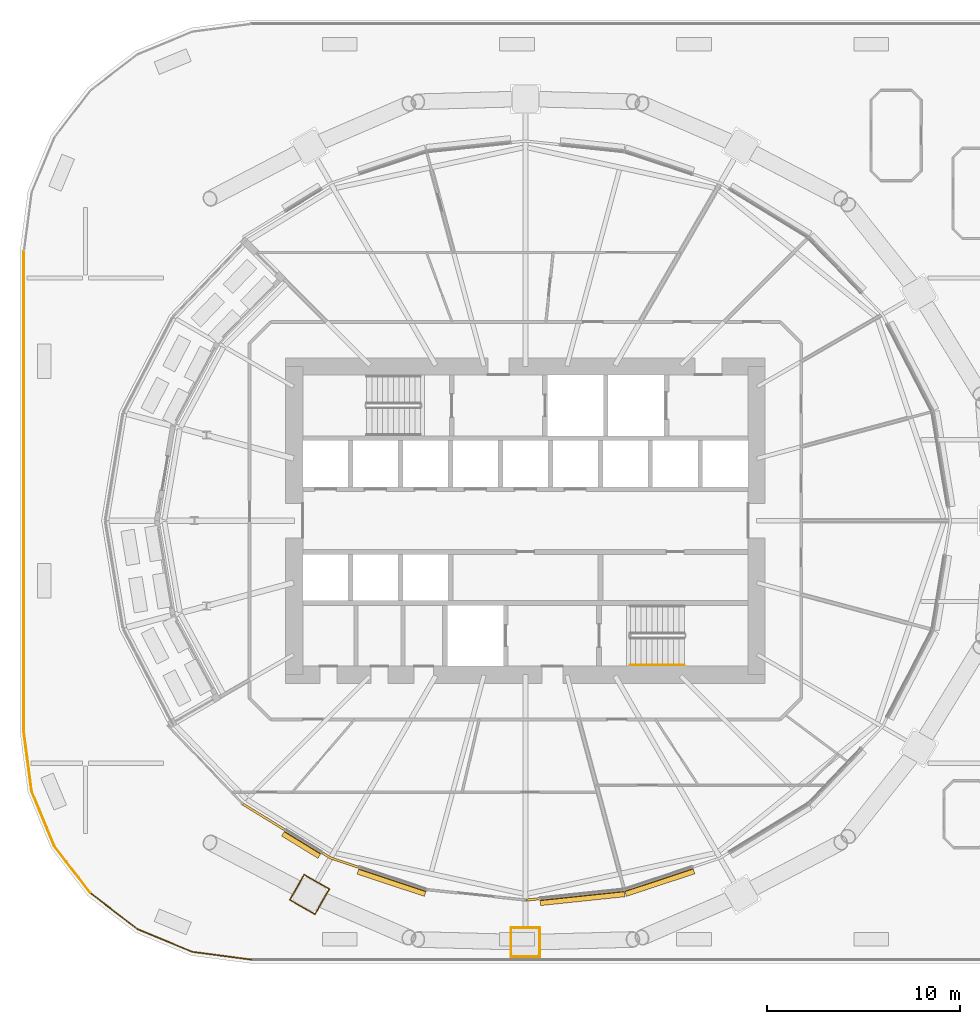
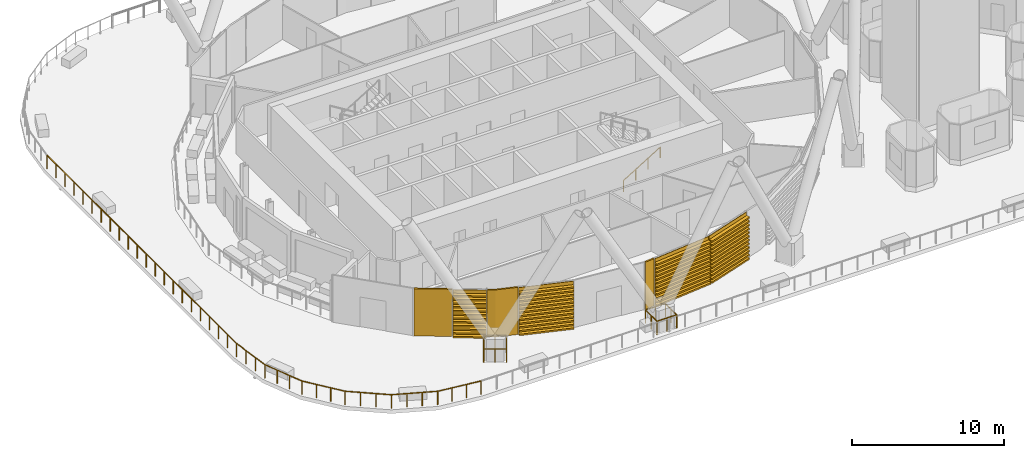
# One storey, part 35 of 47: 11 railings, 7 coverings.
"""IFC4 building model written with IfcOpenShell, lengths in metres."""

from ifc_helpers import new_model, si_unit, direction, frame, origin, origin_2d, place, context, subcontext, project, spatial, polyline, circle, outline, extrude, material, layer, layer_set, material_profile, profile_set, type_object, element, save


model = new_model("IFC4")

# Units and contexts
model_context = context("Model", 3, precision=1e-05, world=origin(), true_north=direction((0.0, 1.0)))
body_context = subcontext(model_context, "Body", "Model", "MODEL_VIEW")
ifc_project = project(units=[si_unit("LENGTHUNIT", "METRE"), si_unit("AREAUNIT", "SQUARE_METRE"), si_unit("VOLUMEUNIT", "CUBIC_METRE"), si_unit("PLANEANGLEUNIT", "RADIAN"), si_unit("MASSUNIT", "GRAM", prefix="KILO")], contexts=[model_context])

# Site, building, storey
site_placement = place(None, origin())
site = spatial("IfcSite", under=ifc_project, at=site_placement, CompositionType="ELEMENT")
building_placement = place(site_placement, origin())
building = spatial("IfcBuilding", under=site, at=building_placement, Name="Rimbun Link Towers", CompositionType="ELEMENT")
storey_placement = place(building_placement, frame((0.0, 0.0, 30.0)))
storey = spatial("IfcBuildingStorey", under=building, at=storey_placement, Name="L06", CompositionType="ELEMENT", Elevation=30.0)

# Railings
ifc_material_1 = material(Name="Toughened laminated glass, stainless steel grade 316 posts and cap rail", Category="steel")
railing_type_1 = type_object("IfcRailingType", Name="GUARD glass balustrade with stainless cap rail", PredefinedType="BALUSTRADE", material=ifc_material_1)
railing_1_placement = place(storey_placement, frame((-57.800048828125, 13.98681640625, 0.0)))
element("IfcRailing", 1, at=railing_1_placement, inside=storey, type_object=railing_type_1, Name="GUARD glass balustrade", PredefinedType="BALUSTRADE", context=body_context, shape_type="SweptSolid", body=[
    extrude(circle(Radius=0.02392578125, at=origin_2d()), frame((0.0, 0.0, 1.076171875), z_axis=(0.0, -1.0, 0.0), x_axis=(1.0, 0.0, 0.0)), (0.0, 0.0, 1.0), 24.9736328125),
    extrude(circle(Radius=0.02392578125, at=origin_2d()), frame((0.0, -24.9736328125, 1.076171875), z_axis=(0.130540259305, -0.991443009305, 0.0), x_axis=(0.991443009305, 0.130540259305, 0.0)), (0.0, 0.0, 1.0), 3.09326171875),
    extrude(circle(Radius=0.02392578125, at=origin_2d()), frame((0.40380859375, -28.04052734375, 1.076171875), z_axis=(0.382706499462, -0.92386997747, 0.0), x_axis=(0.92386997747, 0.382706499462, 0.0)), (0.0, 0.0, 1.0), 3.079833984375),
    extrude(circle(Radius=0.02392578125, at=origin_2d()), frame((1.58251953125, -30.885986328125, 1.076171875), z_axis=(0.608702762794, -0.793398353015, 0.0), x_axis=(0.793398353015, 0.608702762794, 0.0)), (0.0, 0.0, 1.0), 3.079833984375),
    extrude(circle(Radius=0.02099609375, at=origin_2d()), origin(), (0.0, 0.0, 1.0), 1.052001953125),
    extrude(circle(Radius=0.02099609375, at=origin_2d()), frame((0.0, -1.189208984375, 0.0)), (0.0, 0.0, 1.0), 1.052001953125),
    extrude(circle(Radius=0.02099609375, at=origin_2d()), frame((0.0, -2.37841796875, 0.0)), (0.0, 0.0, 1.0), 1.052001953125),
    extrude(circle(Radius=0.02099609375, at=origin_2d()), frame((0.0, -3.567626953125, 0.0)), (0.0, 0.0, 1.0), 1.052001953125),
    extrude(circle(Radius=0.02099609375, at=origin_2d()), frame((0.0, -4.7568359375, 0.0)), (0.0, 0.0, 1.0), 1.052001953125),
    extrude(circle(Radius=0.02099609375, at=origin_2d()), frame((0.0, -5.946044921875, 0.0)), (0.0, 0.0, 1.0), 1.052001953125),
    extrude(circle(Radius=0.02099609375, at=origin_2d()), frame((0.0, -7.13525390625, 0.0)), (0.0, 0.0, 1.0), 1.052001953125),
    extrude(circle(Radius=0.02099609375, at=origin_2d()), frame((0.0, -8.324462890625, 0.0)), (0.0, 0.0, 1.0), 1.052001953125),
    extrude(circle(Radius=0.02099609375, at=origin_2d()), frame((0.0, -9.513671875, 0.0)), (0.0, 0.0, 1.0), 1.052001953125),
    extrude(circle(Radius=0.02099609375, at=origin_2d()), frame((0.0, -10.702880859375, 0.0)), (0.0, 0.0, 1.0), 1.052001953125),
    extrude(circle(Radius=0.02099609375, at=origin_2d()), frame((0.0, -11.89208984375, 0.0)), (0.0, 0.0, 1.0), 1.052001953125),
    extrude(circle(Radius=0.02099609375, at=origin_2d()), frame((0.0, -13.08154296875, 0.0)), (0.0, 0.0, 1.0), 1.052001953125),
    extrude(circle(Radius=0.02099609375, at=origin_2d()), frame((0.0, -14.270751953125, 0.0)), (0.0, 0.0, 1.0), 1.052001953125),
    extrude(circle(Radius=0.02099609375, at=origin_2d()), frame((0.0, -15.4599609375, 0.0)), (0.0, 0.0, 1.0), 1.052001953125),
    extrude(circle(Radius=0.02099609375, at=origin_2d()), frame((0.0, -16.649169921875, 0.0)), (0.0, 0.0, 1.0), 1.052001953125),
    extrude(circle(Radius=0.02099609375, at=origin_2d()), frame((0.0, -17.83837890625, 0.0)), (0.0, 0.0, 1.0), 1.052001953125),
    extrude(circle(Radius=0.02099609375, at=origin_2d()), frame((0.0, -19.027587890625, 0.0)), (0.0, 0.0, 1.0), 1.052001953125),
    extrude(circle(Radius=0.02099609375, at=origin_2d()), frame((0.0, -20.216796875, 0.0)), (0.0, 0.0, 1.0), 1.052001953125),
    extrude(circle(Radius=0.02099609375, at=origin_2d()), frame((0.0, -21.406005859375, 0.0)), (0.0, 0.0, 1.0), 1.052001953125),
    extrude(circle(Radius=0.02099609375, at=origin_2d()), frame((0.0, -22.59521484375, 0.0)), (0.0, 0.0, 1.0), 1.052001953125),
    extrude(circle(Radius=0.02099609375, at=origin_2d()), frame((0.0, -23.784423828125, 0.0)), (0.0, 0.0, 1.0), 1.052001953125),
    extrude(circle(Radius=0.02099609375, at=origin_2d()), frame((0.0, -24.9736328125, 0.0)), (0.0, 0.0, 1.0), 1.052001953125),
    extrude(circle(Radius=0.02099609375, at=origin_2d()), frame((0.134521484375, -25.995849609375, 0.0)), (0.0, 0.0, 1.0), 1.052001953125),
    extrude(circle(Radius=0.02099609375, at=origin_2d()), frame((0.269287109375, -27.018310546875, 0.0)), (0.0, 0.0, 1.0), 1.052001953125),
    extrude(circle(Radius=0.02099609375, at=origin_2d()), frame((0.40380859375, -28.04052734375, 0.0)), (0.0, 0.0, 1.0), 1.052001953125),
    extrude(circle(Radius=0.02099609375, at=origin_2d()), frame((0.796630859375, -28.989013671875, 0.0)), (0.0, 0.0, 1.0), 1.052001953125),
    extrude(circle(Radius=0.02099609375, at=origin_2d()), frame((1.189697265625, -29.9375, 0.0)), (0.0, 0.0, 1.0), 1.052001953125),
    extrude(circle(Radius=0.02099609375, at=origin_2d()), frame((1.58251953125, -30.885986328125, 0.0)), (0.0, 0.0, 1.0), 1.052001953125),
    extrude(circle(Radius=0.02099609375, at=origin_2d()), frame((2.20751953125, -31.700439453125, 0.0)), (0.0, 0.0, 1.0), 1.052001953125),
    extrude(circle(Radius=0.02099609375, at=origin_2d()), frame((2.832275390625, -32.51513671875, 0.0)), (0.0, 0.0, 1.0), 1.052001953125),
    extrude(circle(Radius=0.02099609375, at=origin_2d()), frame((3.457275390625, -33.32958984375, 0.0)), (0.0, 0.0, 1.0), 1.052001953125),
])
railing_2_placement = place(storey_placement, frame((-54.3427734375, -19.3427734375, 0.0)))
element("IfcRailing", 2, at=railing_2_placement, inside=storey, type_object=railing_type_1, Name="GUARD glass balustrade", PredefinedType="BALUSTRADE", context=body_context, shape_type="SweptSolid", body=[
    extrude(circle(Radius=0.02392578125, at=origin_2d()), frame((0.0, 0.0, 1.076171875), z_axis=(0.793398353015, -0.608702762794, 0.0), x_axis=(0.608702762794, 0.793398353015, 0.0)), (0.0, 0.0, 1.0), 3.079833984375),
    extrude(circle(Radius=0.02392578125, at=origin_2d()), frame((2.443603515625, -1.874755859375, 1.076171875), z_axis=(0.92386997747, -0.382706499462, 0.0), x_axis=(0.382706499462, 0.92386997747, 0.0)), (0.0, 0.0, 1.0), 3.079833984375),
    extrude(circle(Radius=0.02392578125, at=origin_2d()), frame((5.2890625, -3.053466796875, 1.076171875), z_axis=(0.991443009305, -0.130540259305, 0.0), x_axis=(0.130540259305, 0.991443009305, 0.0)), (0.0, 0.0, 1.0), 3.09326171875),
    extrude(circle(Radius=0.02099609375, at=origin_2d()), origin(), (0.0, 0.0, 1.0), 1.052001953125),
    extrude(circle(Radius=0.02099609375, at=origin_2d()), frame((0.814453125, -0.625, 0.0)), (0.0, 0.0, 1.0), 1.052001953125),
    extrude(circle(Radius=0.02099609375, at=origin_2d()), frame((1.629150390625, -1.249755859375, 0.0)), (0.0, 0.0, 1.0), 1.052001953125),
    extrude(circle(Radius=0.02099609375, at=origin_2d()), frame((2.443603515625, -1.874755859375, 0.0)), (0.0, 0.0, 1.0), 1.052001953125),
    extrude(circle(Radius=0.02099609375, at=origin_2d()), frame((3.39208984375, -2.267578125, 0.0)), (0.0, 0.0, 1.0), 1.052001953125),
    extrude(circle(Radius=0.02099609375, at=origin_2d()), frame((4.340576171875, -2.66064453125, 0.0)), (0.0, 0.0, 1.0), 1.052001953125),
    extrude(circle(Radius=0.02099609375, at=origin_2d()), frame((5.2890625, -3.053466796875, 0.0)), (0.0, 0.0, 1.0), 1.052001953125),
    extrude(circle(Radius=0.02099609375, at=origin_2d()), frame((6.311279296875, -3.18798828125, 0.0)), (0.0, 0.0, 1.0), 1.052001953125),
    extrude(circle(Radius=0.02099609375, at=origin_2d()), frame((7.333740234375, -3.32275390625, 0.0)), (0.0, 0.0, 1.0), 1.052001953125),
    extrude(circle(Radius=0.02099609375, at=origin_2d()), frame((8.35595703125, -3.457275390625, 0.0)), (0.0, 0.0, 1.0), 1.052001953125),
])
ifc_material_2 = material(Name="Stainless steel grade 316", Category="steel")
railing_type_2 = type_object("IfcRailingType", Name="GUARD stainless rail and posts", PredefinedType="GUARDRAIL", material=ifc_material_2)
railing_3_placement = place(storey_placement, frame((-32.5, -22.654296875, 0.0)))
element("IfcRailing", 3, at=railing_3_placement, inside=storey, type_object=railing_type_2, Name="GUARD slab opening", PredefinedType="GUARDRAIL", context=body_context, shape_type="SweptSolid", body=[
    extrude(circle(Radius=0.02392578125, at=origin_2d()), frame((0.0, 0.0, 1.076171875), z_axis=(1.0, 0.0, 0.0), x_axis=(0.0, 1.0, 0.0)), (0.0, 0.0, 1.0), 1.5),
    extrude(circle(Radius=0.02099609375, at=origin_2d()), origin(), (0.0, 0.0, 1.0), 1.052001953125),
    extrude(circle(Radius=0.02099609375, at=origin_2d()), frame((0.75, 0.0, 0.0)), (0.0, 0.0, 1.0), 1.052001953125),
    extrude(circle(Radius=0.02099609375, at=origin_2d()), frame((1.5, 0.0, 0.0)), (0.0, 0.0, 1.0), 1.052001953125),
])
railing_4_placement = place(storey_placement, frame((-31.0, -22.654296875, 0.0)))
element("IfcRailing", 4, at=railing_4_placement, inside=storey, type_object=railing_type_2, Name="GUARD slab opening", PredefinedType="GUARDRAIL", context=body_context, shape_type="SweptSolid", body=[
    extrude(circle(Radius=0.02392578125, at=origin_2d()), frame((0.0, 0.0, 1.076171875), z_axis=(0.0, 1.0, 0.0), x_axis=(-1.0, 0.0, 0.0)), (0.0, 0.0, 1.0), 1.5),
    extrude(circle(Radius=0.02099609375, at=origin_2d()), origin(), (0.0, 0.0, 1.0), 1.052001953125),
    extrude(circle(Radius=0.02099609375, at=origin_2d()), frame((0.0, 0.75, 0.0)), (0.0, 0.0, 1.0), 1.052001953125),
    extrude(circle(Radius=0.02099609375, at=origin_2d()), frame((0.0, 1.5, 0.0)), (0.0, 0.0, 1.0), 1.052001953125),
])
railing_5_placement = place(storey_placement, frame((-31.0, -21.154296875, 0.0)))
element("IfcRailing", 5, at=railing_5_placement, inside=storey, type_object=railing_type_2, Name="GUARD slab opening", PredefinedType="GUARDRAIL", context=body_context, shape_type="SweptSolid", body=[
    extrude(circle(Radius=0.02392578125, at=origin_2d()), frame((0.0, 0.0, 1.076171875), z_axis=(-1.0, 0.0, 0.0), x_axis=(0.0, -1.0, 0.0)), (0.0, 0.0, 1.0), 1.5),
    extrude(circle(Radius=0.02099609375, at=origin_2d()), origin(), (0.0, 0.0, 1.0), 1.052001953125),
    extrude(circle(Radius=0.02099609375, at=origin_2d()), frame((-0.75, 0.0, 0.0)), (0.0, 0.0, 1.0), 1.052001953125),
    extrude(circle(Radius=0.02099609375, at=origin_2d()), frame((-1.5, 0.0, 0.0)), (0.0, 0.0, 1.0), 1.052001953125),
])
railing_6_placement = place(storey_placement, frame((-32.5, -21.154296875, 0.0)))
element("IfcRailing", 6, at=railing_6_placement, inside=storey, type_object=railing_type_2, Name="GUARD slab opening", PredefinedType="GUARDRAIL", context=body_context, shape_type="SweptSolid", body=[
    extrude(circle(Radius=0.02392578125, at=origin_2d()), frame((0.0, 0.0, 1.076171875), z_axis=(0.0, -1.0, 0.0), x_axis=(1.0, 0.0, 0.0)), (0.0, 0.0, 1.0), 1.5),
    extrude(circle(Radius=0.02099609375, at=origin_2d()), origin(), (0.0, 0.0, 1.0), 1.052001953125),
    extrude(circle(Radius=0.02099609375, at=origin_2d()), frame((0.0, -0.75, 0.0)), (0.0, 0.0, 1.0), 1.052001953125),
    extrude(circle(Radius=0.02099609375, at=origin_2d()), frame((0.0, -1.5, 0.0)), (0.0, 0.0, 1.0), 1.052001953125),
])
railing_7_placement = place(storey_placement, frame((-43.985595703125, -19.692626953125, 0.0)))
element("IfcRailing", 7, at=railing_7_placement, inside=storey, type_object=railing_type_2, Name="GUARD slab opening", PredefinedType="GUARDRAIL", context=body_context, shape_type="SweptSolid", body=[
    extrude(circle(Radius=0.02392578125, at=origin_2d()), frame((0.0, 0.0, 1.076171875), z_axis=(0.866031096941, -0.499990139034, 0.0), x_axis=(0.499990139034, 0.866031096941, 0.0)), (0.0, 0.0, 1.0), 1.5),
    extrude(circle(Radius=0.02099609375, at=origin_2d()), origin(), (0.0, 0.0, 1.0), 1.052001953125),
    extrude(circle(Radius=0.02099609375, at=origin_2d()), frame((0.6494140625, -0.375, 0.0)), (0.0, 0.0, 1.0), 1.052001953125),
    extrude(circle(Radius=0.02099609375, at=origin_2d()), frame((1.299072265625, -0.75, 0.0)), (0.0, 0.0, 1.0), 1.052001953125),
])
railing_8_placement = place(storey_placement, frame((-42.6865234375, -20.442626953125, 0.0)))
element("IfcRailing", 8, at=railing_8_placement, inside=storey, type_object=railing_type_2, Name="GUARD slab opening", PredefinedType="GUARDRAIL", context=body_context, shape_type="SweptSolid", body=[
    extrude(circle(Radius=0.02392578125, at=origin_2d()), frame((0.0, 0.0, 1.076171875), z_axis=(0.500060622324, 0.86599040064, 0.0), x_axis=(-0.86599040064, 0.500060622324, 0.0)), (0.0, 0.0, 1.0), 1.499755859375),
    extrude(circle(Radius=0.02099609375, at=origin_2d()), origin(), (0.0, 0.0, 1.0), 1.052001953125),
    extrude(circle(Radius=0.02099609375, at=origin_2d()), frame((0.375, 0.6494140625, 0.0)), (0.0, 0.0, 1.0), 1.052001953125),
    extrude(circle(Radius=0.02099609375, at=origin_2d()), frame((0.75, 1.298828125, 0.0)), (0.0, 0.0, 1.0), 1.052001953125),
])
railing_9_placement = place(storey_placement, frame((-41.9365234375, -19.143798828125, 0.0)))
element("IfcRailing", 9, at=railing_9_placement, inside=storey, type_object=railing_type_2, Name="GUARD slab opening", PredefinedType="GUARDRAIL", context=body_context, shape_type="SweptSolid", body=[
    extrude(circle(Radius=0.02392578125, at=origin_2d()), frame((0.0, 0.0, 1.076171875), z_axis=(-0.866031096941, 0.499990139034, 0.0), x_axis=(-0.499990139034, -0.866031096941, 0.0)), (0.0, 0.0, 1.0), 1.5),
    extrude(circle(Radius=0.02099609375, at=origin_2d()), origin(), (0.0, 0.0, 1.0), 1.052001953125),
    extrude(circle(Radius=0.02099609375, at=origin_2d()), frame((-0.6494140625, 0.375, 0.0)), (0.0, 0.0, 1.0), 1.052001953125),
    extrude(circle(Radius=0.02099609375, at=origin_2d()), frame((-1.299072265625, 0.75, 0.0)), (0.0, 0.0, 1.0), 1.052001953125),
])
railing_10_placement = place(storey_placement, frame((-43.235595703125, -18.393798828125, 0.0)))
element("IfcRailing", 10, at=railing_10_placement, inside=storey, type_object=railing_type_2, Name="GUARD slab opening", PredefinedType="GUARDRAIL", context=body_context, shape_type="SweptSolid", body=[
    extrude(circle(Radius=0.02392578125, at=origin_2d()), frame((0.0, 0.0, 1.076171875), z_axis=(-0.500060622324, -0.86599040064, 0.0), x_axis=(0.86599040064, -0.500060622324, 0.0)), (0.0, 0.0, 1.0), 1.499755859375),
    extrude(circle(Radius=0.02099609375, at=origin_2d()), origin(), (0.0, 0.0, 1.0), 1.052001953125),
    extrude(circle(Radius=0.02099609375, at=origin_2d()), frame((-0.375, -0.6494140625, 0.0)), (0.0, 0.0, 1.0), 1.052001953125),
    extrude(circle(Radius=0.02099609375, at=origin_2d()), frame((-0.75, -1.298828125, 0.0)), (0.0, 0.0, 1.0), 1.052001953125),
])

# Coverings
ifc_material_3 = material(Name="Terracotta", Category="masonry")
ifc_layer = layer(ifc_material_3, 0.1201171875)
ifc_layer_set = layer_set([ifc_layer], Name="LINK PIER terracotta cladding 120")
covering_type_1 = type_object("IfcCoveringType", Name="LINK PIER terracotta cladding 120", PredefinedType="CLADDING", material=ifc_layer_set)
covering_1_placement = place(storey_placement, origin())
element("IfcCovering", 11, at=covering_1_placement, inside=storey, type_object=covering_type_1, Name="LINK PIER cladding", PredefinedType="CLADDING", context=body_context, shape_type="SweptSolid", body=[
    extrude(outline(polyline([(-44.220703125, -16.005615234375), (-46.38525390625, -14.676513671875), (-46.447998046875, -14.77880859375), (-44.283447265625, -16.107666015625), (-44.220703125, -16.005615234375)])), origin(), (0.0, 0.0, 1.0), 3.800048828125),
])
covering_2_placement = place(storey_placement, origin())
element("IfcCovering", 12, at=covering_2_placement, inside=storey, type_object=covering_type_1, Name="LINK PIER cladding", PredefinedType="CLADDING", context=body_context, shape_type="SweptSolid", body=[
    extrude(outline(polyline([(-40.393310546875, -17.94775390625), (-41.836181640625, -17.469482421875), (-42.279296875, -17.197509765625), (-42.342041015625, -17.2998046875), (-41.886962890625, -17.5791015625), (-40.430908203125, -18.0615234375), (-40.393310546875, -17.94775390625)])), origin(), (0.0, 0.0, 1.0), 3.800048828125),
])
covering_3_placement = place(storey_placement, origin())
element("IfcCovering", 13, at=covering_3_placement, inside=storey, type_object=covering_type_1, Name="LINK PIER cladding", PredefinedType="CLADDING", context=body_context, shape_type="SweptSolid", body=[
    extrude(outline(polyline([(-31.033935546875, -19.578857421875), (-31.72021484375, -19.651123046875), (-31.70751953125, -19.7705078125), (-31.021484375, -19.697998046875), (-31.033935546875, -19.578857421875)])), origin(), (0.0, 0.0, 1.0), 3.800048828125),
])

# Railing
ifc_material_4 = material(Name="Stainless steel grade 316", Category="steel")
railing_type_3 = type_object("IfcRailingType", Name="Stair handrail", PredefinedType="HANDRAIL", material=ifc_material_4)
railing_11_placement = place(storey_placement, frame((-26.300048828125, -7.5, 0.172607421875)))
element("IfcRailing", 14, at=railing_11_placement, inside=storey, type_object=railing_type_3, Name="L06 ST2 stair handrail 1", PredefinedType="HANDRAIL", context=body_context, shape_type="SweptSolid", body=[
    extrude(circle(Radius=0.02392578125, at=origin_2d()), frame((0.0, 0.0, 0.8759765625), z_axis=(0.851089632645, 0.0, 0.525020415988), x_axis=(0.0, 1.0, 0.0)), (0.0, 0.0, 1.0), 3.2900390625),
    extrude(circle(Radius=0.02099609375, at=origin_2d()), origin(), (0.0, 0.0, 1.0), 0.851806640625),
    extrude(circle(Radius=0.02099609375, at=origin_2d()), frame((0.933349609375, 0.0, 0.57568359375)), (0.0, 0.0, 1.0), 0.851806640625),
    extrude(circle(Radius=0.02099609375, at=origin_2d()), frame((1.86669921875, 0.0, 1.151611328125)), (0.0, 0.0, 1.0), 0.851806640625),
    extrude(circle(Radius=0.02099609375, at=origin_2d()), frame((2.800048828125, 0.0, 1.727294921875)), (0.0, 0.0, 1.0), 0.851806640625),
])

# Coverings
ifc_material_5 = material(Name="Terracotta", Category="masonry")
ifc_material_profile = material_profile(ifc_material_5, outline(polyline([(0.123046875, 0.0), (0.1630859375, 0.0), (0.1630859375, 0.10009765625), (0.423095703125, 0.10009765625), (0.423095703125, 0.219970703125), (0.1630859375, 0.219970703125), (0.1630859375, 0.39990234375), (0.423095703125, 0.39990234375), (0.423095703125, 0.52001953125), (0.1630859375, 0.52001953125), (0.1630859375, 0.699951171875), (0.423095703125, 0.699951171875), (0.423095703125, 0.820068359375), (0.1630859375, 0.820068359375), (0.1630859375, 1.0), (0.423095703125, 1.0), (0.423095703125, 1.1201171875), (0.1630859375, 1.1201171875), (0.1630859375, 1.300048828125), (0.423095703125, 1.300048828125), (0.423095703125, 1.419921875), (0.1630859375, 1.419921875), (0.1630859375, 1.60009765625), (0.423095703125, 1.60009765625), (0.423095703125, 1.719970703125), (0.1630859375, 1.719970703125), (0.1630859375, 1.89990234375), (0.423095703125, 1.89990234375), (0.423095703125, 2.02001953125), (0.1630859375, 2.02001953125), (0.1630859375, 2.199951171875), (0.423095703125, 2.199951171875), (0.423095703125, 2.320068359375), (0.1630859375, 2.320068359375), (0.1630859375, 2.5), (0.423095703125, 2.5), (0.423095703125, 2.6201171875), (0.1630859375, 2.6201171875), (0.1630859375, 2.800048828125), (0.423095703125, 2.800048828125), (0.423095703125, 2.919921875), (0.1630859375, 2.919921875), (0.1630859375, 3.10009765625), (0.423095703125, 3.10009765625), (0.423095703125, 3.219970703125), (0.1630859375, 3.219970703125), (0.1630859375, 3.39990234375), (0.423095703125, 3.39990234375), (0.423095703125, 3.52001953125), (0.1630859375, 3.52001953125), (0.1630859375, 3.800048828125), (0.123046875, 3.800048828125), (0.123046875, 0.0)])), Name="BAGUETTE 120X300")
ifc_profile_set = profile_set([ifc_material_profile], Name="Terracotta")
covering_type_2 = type_object("IfcCoveringType", Name="TERRACOTTA BAGUETTE 120X300 H3800", PredefinedType="CLADDING", material=ifc_profile_set)
covering_4_placement = place(storey_placement, frame((-42.3046875, -17.181884765625, 0.0), z_axis=(-0.852194471791, 0.523225173562, 0.0), x_axis=(-0.523225173562, -0.852194471791, 0.0)))
element("IfcCovering", 15, at=covering_4_placement, inside=storey, type_object=covering_type_2, Name="TERRACOTTA BAGUETTE", PredefinedType="CLADDING", context=body_context, shape_type="SweptSolid", body=[
    extrude(outline(polyline([(0.123046875, 0.0), (0.1630859375, 0.0), (0.1630859375, 0.10009765625), (0.423095703125, 0.10009765625), (0.423095703125, 0.219970703125), (0.1630859375, 0.219970703125), (0.1630859375, 0.39990234375), (0.423095703125, 0.39990234375), (0.423095703125, 0.52001953125), (0.1630859375, 0.52001953125), (0.1630859375, 0.699951171875), (0.423095703125, 0.699951171875), (0.423095703125, 0.820068359375), (0.1630859375, 0.820068359375), (0.1630859375, 1.0), (0.423095703125, 1.0), (0.423095703125, 1.1201171875), (0.1630859375, 1.1201171875), (0.1630859375, 1.300048828125), (0.423095703125, 1.300048828125), (0.423095703125, 1.419921875), (0.1630859375, 1.419921875), (0.1630859375, 1.60009765625), (0.423095703125, 1.60009765625), (0.423095703125, 1.719970703125), (0.1630859375, 1.719970703125), (0.1630859375, 1.89990234375), (0.423095703125, 1.89990234375), (0.423095703125, 2.02001953125), (0.1630859375, 2.02001953125), (0.1630859375, 2.199951171875), (0.423095703125, 2.199951171875), (0.423095703125, 2.320068359375), (0.1630859375, 2.320068359375), (0.1630859375, 2.5), (0.423095703125, 2.5), (0.423095703125, 2.6201171875), (0.1630859375, 2.6201171875), (0.1630859375, 2.800048828125), (0.423095703125, 2.800048828125), (0.423095703125, 2.919921875), (0.1630859375, 2.919921875), (0.1630859375, 3.10009765625), (0.423095703125, 3.10009765625), (0.423095703125, 3.219970703125), (0.1630859375, 3.219970703125), (0.1630859375, 3.39990234375), (0.423095703125, 3.39990234375), (0.423095703125, 3.52001953125), (0.1630859375, 3.52001953125), (0.1630859375, 3.800048828125), (0.123046875, 3.800048828125), (0.123046875, 0.0)])), origin(), (0.0, 0.0, 1.0), 2.21826171875),
])
covering_5_placement = place(storey_placement, frame((-36.871826171875, -19.11474609375, 0.0), z_axis=(-0.949239146914, 0.314555308277, 0.0), x_axis=(-0.314555308277, -0.949239146914, 0.0)))
element("IfcCovering", 16, at=covering_5_placement, inside=storey, type_object=covering_type_2, Name="TERRACOTTA BAGUETTE", PredefinedType="CLADDING", context=body_context, shape_type="SweptSolid", body=[
    extrude(outline(polyline([(0.123046875, 0.0), (0.1630859375, 0.0), (0.1630859375, 0.10009765625), (0.423095703125, 0.10009765625), (0.423095703125, 0.219970703125), (0.1630859375, 0.219970703125), (0.1630859375, 0.39990234375), (0.423095703125, 0.39990234375), (0.423095703125, 0.52001953125), (0.1630859375, 0.52001953125), (0.1630859375, 0.699951171875), (0.423095703125, 0.699951171875), (0.423095703125, 0.820068359375), (0.1630859375, 0.820068359375), (0.1630859375, 1.0), (0.423095703125, 1.0), (0.423095703125, 1.1201171875), (0.1630859375, 1.1201171875), (0.1630859375, 1.300048828125), (0.423095703125, 1.300048828125), (0.423095703125, 1.419921875), (0.1630859375, 1.419921875), (0.1630859375, 1.60009765625), (0.423095703125, 1.60009765625), (0.423095703125, 1.719970703125), (0.1630859375, 1.719970703125), (0.1630859375, 1.89990234375), (0.423095703125, 1.89990234375), (0.423095703125, 2.02001953125), (0.1630859375, 2.02001953125), (0.1630859375, 2.199951171875), (0.423095703125, 2.199951171875), (0.423095703125, 2.320068359375), (0.1630859375, 2.320068359375), (0.1630859375, 2.5), (0.423095703125, 2.5), (0.423095703125, 2.6201171875), (0.1630859375, 2.6201171875), (0.1630859375, 2.800048828125), (0.423095703125, 2.800048828125), (0.423095703125, 2.919921875), (0.1630859375, 2.919921875), (0.1630859375, 3.10009765625), (0.423095703125, 3.10009765625), (0.423095703125, 3.219970703125), (0.1630859375, 3.219970703125), (0.1630859375, 3.39990234375), (0.423095703125, 3.39990234375), (0.423095703125, 3.52001953125), (0.1630859375, 3.52001953125), (0.1630859375, 3.800048828125), (0.123046875, 3.800048828125), (0.123046875, 0.0)])), origin(), (0.0, 0.0, 1.0), 3.6796875),
])
covering_6_placement = place(storey_placement, frame((-26.628173828125, -19.11474609375, 0.0), z_axis=(-0.994498153958, -0.104754101466, 0.0), x_axis=(0.104754101466, -0.994498153958, 0.0)))
element("IfcCovering", 17, at=covering_6_placement, inside=storey, type_object=covering_type_2, Name="TERRACOTTA BAGUETTE", PredefinedType="CLADDING", context=body_context, shape_type="SweptSolid", body=[
    extrude(outline(polyline([(0.123046875, 0.0), (0.1630859375, 0.0), (0.1630859375, 0.10009765625), (0.423095703125, 0.10009765625), (0.423095703125, 0.219970703125), (0.1630859375, 0.219970703125), (0.1630859375, 0.39990234375), (0.423095703125, 0.39990234375), (0.423095703125, 0.52001953125), (0.1630859375, 0.52001953125), (0.1630859375, 0.699951171875), (0.423095703125, 0.699951171875), (0.423095703125, 0.820068359375), (0.1630859375, 0.820068359375), (0.1630859375, 1.0), (0.423095703125, 1.0), (0.423095703125, 1.1201171875), (0.1630859375, 1.1201171875), (0.1630859375, 1.300048828125), (0.423095703125, 1.300048828125), (0.423095703125, 1.419921875), (0.1630859375, 1.419921875), (0.1630859375, 1.60009765625), (0.423095703125, 1.60009765625), (0.423095703125, 1.719970703125), (0.1630859375, 1.719970703125), (0.1630859375, 1.89990234375), (0.423095703125, 1.89990234375), (0.423095703125, 2.02001953125), (0.1630859375, 2.02001953125), (0.1630859375, 2.199951171875), (0.423095703125, 2.199951171875), (0.423095703125, 2.320068359375), (0.1630859375, 2.320068359375), (0.1630859375, 2.5), (0.423095703125, 2.5), (0.423095703125, 2.6201171875), (0.1630859375, 2.6201171875), (0.1630859375, 2.800048828125), (0.423095703125, 2.800048828125), (0.423095703125, 2.919921875), (0.1630859375, 2.919921875), (0.1630859375, 3.10009765625), (0.423095703125, 3.10009765625), (0.423095703125, 3.219970703125), (0.1630859375, 3.219970703125), (0.1630859375, 3.39990234375), (0.423095703125, 3.39990234375), (0.423095703125, 3.52001953125), (0.1630859375, 3.52001953125), (0.1630859375, 3.800048828125), (0.123046875, 3.800048828125), (0.123046875, 0.0)])), origin(), (0.0, 0.0, 1.0), 4.400146484375),
])
covering_7_placement = place(storey_placement, frame((-23.087646484375, -17.94140625, 0.0), z_axis=(-0.949231687983, -0.314577816332, 0.0), x_axis=(0.314577816332, -0.949231687983, 0.0)))
element("IfcCovering", 18, at=covering_7_placement, inside=storey, type_object=covering_type_2, Name="TERRACOTTA BAGUETTE", PredefinedType="CLADDING", context=body_context, shape_type="SweptSolid", body=[
    extrude(outline(polyline([(0.123046875, 0.0), (0.1630859375, 0.0), (0.1630859375, 0.10009765625), (0.423095703125, 0.10009765625), (0.423095703125, 0.219970703125), (0.1630859375, 0.219970703125), (0.1630859375, 0.39990234375), (0.423095703125, 0.39990234375), (0.423095703125, 0.52001953125), (0.1630859375, 0.52001953125), (0.1630859375, 0.699951171875), (0.423095703125, 0.699951171875), (0.423095703125, 0.820068359375), (0.1630859375, 0.820068359375), (0.1630859375, 1.0), (0.423095703125, 1.0), (0.423095703125, 1.1201171875), (0.1630859375, 1.1201171875), (0.1630859375, 1.300048828125), (0.423095703125, 1.300048828125), (0.423095703125, 1.419921875), (0.1630859375, 1.419921875), (0.1630859375, 1.60009765625), (0.423095703125, 1.60009765625), (0.423095703125, 1.719970703125), (0.1630859375, 1.719970703125), (0.1630859375, 1.89990234375), (0.423095703125, 1.89990234375), (0.423095703125, 2.02001953125), (0.1630859375, 2.02001953125), (0.1630859375, 2.199951171875), (0.423095703125, 2.199951171875), (0.423095703125, 2.320068359375), (0.1630859375, 2.320068359375), (0.1630859375, 2.5), (0.423095703125, 2.5), (0.423095703125, 2.6201171875), (0.1630859375, 2.6201171875), (0.1630859375, 2.800048828125), (0.423095703125, 2.800048828125), (0.423095703125, 2.919921875), (0.1630859375, 2.919921875), (0.1630859375, 3.10009765625), (0.423095703125, 3.10009765625), (0.423095703125, 3.219970703125), (0.1630859375, 3.219970703125), (0.1630859375, 3.39990234375), (0.423095703125, 3.39990234375), (0.423095703125, 3.52001953125), (0.1630859375, 3.52001953125), (0.1630859375, 3.800048828125), (0.123046875, 3.800048828125), (0.123046875, 0.0)])), origin(), (0.0, 0.0, 1.0), 3.72998046875),
])

save(model, "model.ifc")
